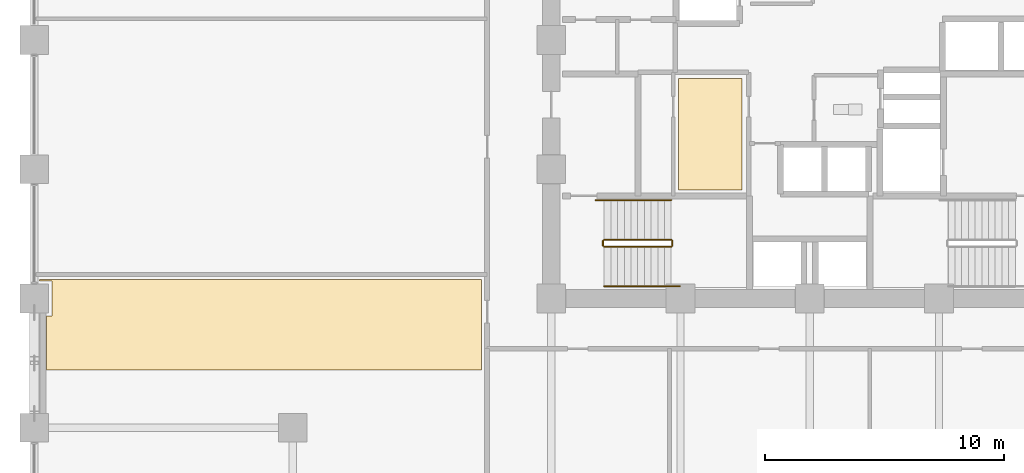
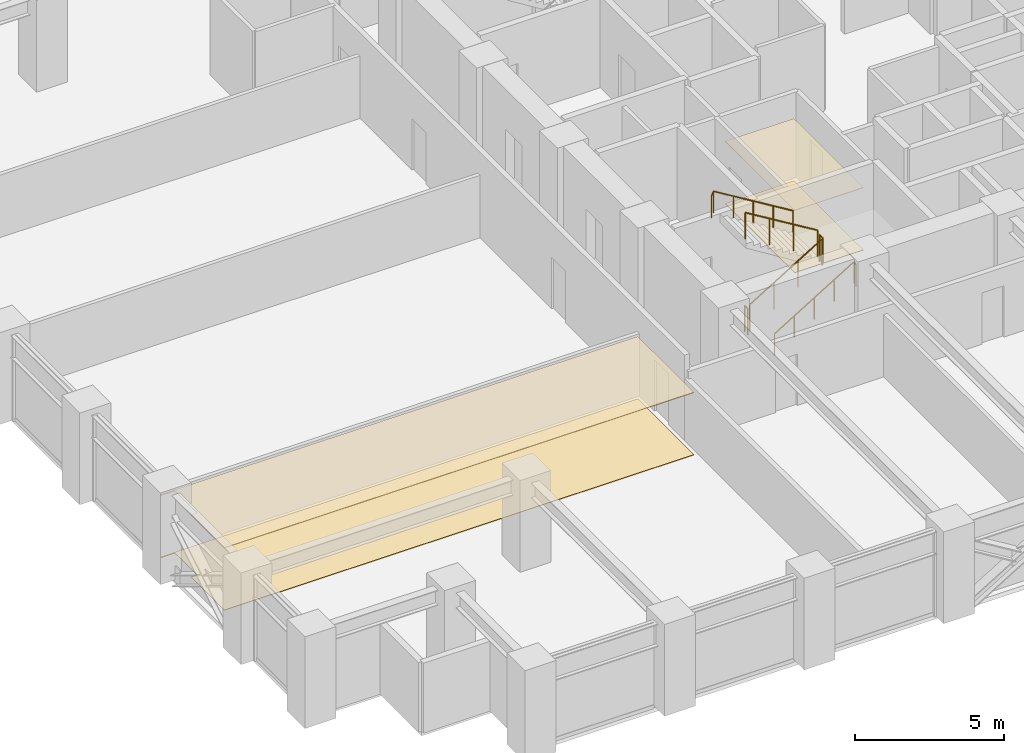
# One storey, part 24 of 26: 6 railings, 4 coverings.
"""IFC4 building model written with IfcOpenShell, lengths in metres."""

from ifc_helpers import new_model, si_unit, direction, frame, origin, origin_2d, place, context, subcontext, project, spatial, polyline, circle, outline, extrude, material, layer, layer_set, type_object, element, save


model = new_model("IFC4")

# Units and contexts
model_context = context("Model", 3, precision=1e-05, world=origin(), true_north=direction((0.0, 1.0)))
body_context = subcontext(model_context, "Body", "Model", "MODEL_VIEW")
ifc_project = project(units=[si_unit("LENGTHUNIT", "METRE"), si_unit("AREAUNIT", "SQUARE_METRE"), si_unit("VOLUMEUNIT", "CUBIC_METRE"), si_unit("PLANEANGLEUNIT", "RADIAN"), si_unit("MASSUNIT", "GRAM", prefix="KILO")], contexts=[model_context])

# Site, building, storey
site_placement = place(None, origin())
site = spatial("IfcSite", under=ifc_project, at=site_placement, CompositionType="ELEMENT")
building_placement = place(site_placement, origin())
building = spatial("IfcBuilding", under=site, at=building_placement, Name="Surkhivell Harbour Commons", CompositionType="ELEMENT")
storey_placement = place(building_placement, frame((0.0, 0.0, 75.0)))
storey = spatial("IfcBuildingStorey", under=building, at=storey_placement, Name="L19", CompositionType="ELEMENT", Elevation=75.0)

# Coverings
ifc_material_1 = material(Name="Perforated acoustic mineral-fibre ceiling tile", Category="other")
ifc_layer_1 = layer(ifc_material_1, 0.02490234375)
ifc_layer_set_1 = layer_set([ifc_layer_1], Name="Perforated acoustic mineral-fibre ceiling tile")
covering_type_1 = type_object("IfcCoveringType", Name="COV-CEIL-AC", PredefinedType="CEILING", material=ifc_layer_set_1)
covering_1_placement = place(storey_placement, frame((0.0, 0.0, 2.548095703125)))
element("IfcCovering", 1, at=covering_1_placement, inside=storey, type_object=covering_type_1, Name="L19 Suspended Acoustic Ceiling 1", PredefinedType="CEILING", context=body_context, shape_type="SweptSolid", body=[
    extrude(outline(polyline([(-5.47998046875, -6.260009765625), (-2.820068359375, -6.260009765625), (-2.820068359375, -1.60009765625), (-5.47998046875, -1.60009765625), (-5.47998046875, -6.260009765625)])), origin(), (0.0, 0.0, 1.0), 0.02490234375),
])
ifc_material_2 = material(Name="Moisture-resistant gypsum acoustic ceiling board", Category="other")
ifc_layer_2 = layer(ifc_material_2, 0.030029296875)
ifc_layer_set_2 = layer_set([ifc_layer_2], Name="Moisture-resistant gypsum acoustic ceiling board")
covering_type_2 = type_object("IfcCoveringType", Name="COV-CEIL-GYP", PredefinedType="CEILING", material=ifc_layer_set_2)
covering_2_placement = place(storey_placement, frame((0.0, 0.0, 2.54296875)))
element("IfcCovering", 2, at=covering_2_placement, inside=storey, type_object=covering_type_2, Name="L19 Suspended Acoustic Ceiling 2", PredefinedType="CEILING", context=body_context, shape_type="SweptSolid", body=[
    extrude(outline(polyline([(-13.719970703125, -13.780029296875), (-13.719970703125, -10.014892578125), (-32.18994140625, -10.014892578125), (-32.18994140625, -10.06005859375), (-31.659912109375, -10.06005859375), (-31.659912109375, -11.5400390625), (-31.889892578125, -11.5400390625), (-31.889892578125, -13.780029296875), (-13.719970703125, -13.780029296875)])), origin(), (0.0, 0.0, 1.0), 0.030029296875),
])
ifc_material_3 = material(Name="Engineered acoustic oak timber flooring", Category="wood")
ifc_layer_3 = layer(ifc_material_3, 0.02001953125)
ifc_layer_set_3 = layer_set([ifc_layer_3], Name="Engineered acoustic oak timber flooring")
covering_type_3 = type_object("IfcCoveringType", Name="COV-FLR-TIM", PredefinedType="FLOORING", material=ifc_layer_set_3)
covering_3_placement = place(storey_placement, origin())
element("IfcCovering", 3, at=covering_3_placement, inside=storey, type_object=covering_type_3, Name="L19 Interior Floor Finish 1", PredefinedType="FLOORING", context=body_context, shape_type="SweptSolid", body=[
    extrude(outline(polyline([(-5.47998046875, -6.260009765625), (-2.820068359375, -6.260009765625), (-2.820068359375, -1.60009765625), (-5.47998046875, -1.60009765625), (-5.47998046875, -6.260009765625)])), origin(), (0.0, 0.0, 1.0), 0.02001953125),
])
covering_4_placement = place(storey_placement, origin())
element("IfcCovering", 4, at=covering_4_placement, inside=storey, type_object=covering_type_3, Name="L19 Interior Floor Finish 2", PredefinedType="FLOORING", context=body_context, shape_type="SweptSolid", body=[
    extrude(outline(polyline([(-13.719970703125, -13.780029296875), (-13.719970703125, -10.014892578125), (-32.18994140625, -10.014892578125), (-32.18994140625, -10.06005859375), (-31.659912109375, -10.06005859375), (-31.659912109375, -11.5400390625), (-31.889892578125, -11.5400390625), (-31.889892578125, -13.780029296875), (-13.719970703125, -13.780029296875)])), origin(), (0.0, 0.0, 1.0), 0.02001953125),
])

# Railings
ifc_material_4 = material(Name="Galvanised and painted steel S355 guard rail", Category="steel")
railing_type_1 = type_object("IfcRailingType", Name="RAL-ST-GRD1100", PredefinedType="GUARDRAIL", material=ifc_material_4)
railing_1_placement = place(storey_placement, frame((-8.590087890625, -8.639892578125, 0.17041015625)))
element("IfcRailing", 5, at=railing_1_placement, inside=storey, type_object=railing_type_1, Name="L19 ST3 stair guard 1", PredefinedType="GUARDRAIL", context=body_context, shape_type="SweptSolid", body=[
    extrude(circle(Radius=0.02392578125, at=origin_2d()), frame((0.0, 0.0, 1.076171875), z_axis=(0.854169791009, 0.0, 0.51999420009), x_axis=(0.0, 1.0, 0.0)), (0.0, 0.0, 1.0), 3.278076171875),
    extrude(circle(Radius=0.02099609375, at=origin_2d()), origin(), (0.0, 0.0, 1.0), 1.052001953125),
    extrude(circle(Radius=0.02099609375, at=origin_2d()), frame((0.933349609375, 0.0, 0.568115234375)), (0.0, 0.0, 1.0), 1.052001953125),
    extrude(circle(Radius=0.02099609375, at=origin_2d()), frame((1.86669921875, 0.0, 1.136474609375)), (0.0, 0.0, 1.0), 1.052001953125),
    extrude(circle(Radius=0.02099609375, at=origin_2d()), frame((2.800048828125, 0.0, 1.70458984375)), (0.0, 0.0, 1.0), 1.052001953125),
])
railing_2_placement = place(storey_placement, frame((-5.739990234375, -8.590087890625, 1.875)))
element("IfcRailing", 6, at=railing_2_placement, inside=storey, type_object=railing_type_1, Name="L19 ST3 stair guard 2", PredefinedType="GUARDRAIL", context=body_context, shape_type="SweptSolid", body=[
    extrude(circle(Radius=0.02392578125, at=origin_2d()), frame((0.0, 0.0, 1.076171875), z_axis=(0.0, 1.0, 0.0), x_axis=(-1.0, 0.0, 0.0)), (0.0, 0.0, 1.0), 0.2001953125),
    extrude(circle(Radius=0.02099609375, at=origin_2d()), origin(), (0.0, 0.0, 1.0), 1.052001953125),
    extrude(circle(Radius=0.02099609375, at=origin_2d()), frame((0.0, 0.2001953125, 0.0)), (0.0, 0.0, 1.0), 1.052001953125),
])
railing_3_placement = place(storey_placement, frame((-5.7900390625, -8.340087890625, 2.04541015625)))
element("IfcRailing", 7, at=railing_3_placement, inside=storey, type_object=railing_type_1, Name="L19 ST3 stair guard 3", PredefinedType="GUARDRAIL", context=body_context, shape_type="SweptSolid", body=[
    extrude(circle(Radius=0.02392578125, at=origin_2d()), frame((0.0, 0.0, 1.076171875), z_axis=(-0.854169791009, 0.0, 0.51999420009), x_axis=(0.0, -1.0, 0.0)), (0.0, 0.0, 1.0), 3.278076171875),
    extrude(circle(Radius=0.02099609375, at=origin_2d()), origin(), (0.0, 0.0, 1.0), 1.052001953125),
    extrude(circle(Radius=0.02099609375, at=origin_2d()), frame((-0.933349609375, 0.0, 0.568115234375)), (0.0, 0.0, 1.0), 1.052001953125),
    extrude(circle(Radius=0.02099609375, at=origin_2d()), frame((-1.86669921875, 0.0, 1.136474609375)), (0.0, 0.0, 1.0), 1.052001953125),
    extrude(circle(Radius=0.02099609375, at=origin_2d()), frame((-2.800048828125, 0.0, 1.70458984375)), (0.0, 0.0, 1.0), 1.052001953125),
])
railing_4_placement = place(storey_placement, frame((-8.639892578125, -8.590087890625, 0.0)))
element("IfcRailing", 8, at=railing_4_placement, inside=storey, type_object=railing_type_1, Name="L19 ST3 stair guard 4", PredefinedType="GUARDRAIL", context=body_context, shape_type="SweptSolid", body=[
    extrude(circle(Radius=0.02392578125, at=origin_2d()), frame((0.0, 0.0, 1.076171875), z_axis=(0.0, 1.0, 0.0), x_axis=(-1.0, 0.0, 0.0)), (0.0, 0.0, 1.0), 0.2001953125),
    extrude(circle(Radius=0.02099609375, at=origin_2d()), origin(), (0.0, 0.0, 1.0), 1.052001953125),
    extrude(circle(Radius=0.02099609375, at=origin_2d()), frame((0.0, 0.2001953125, 0.0)), (0.0, 0.0, 1.0), 1.052001953125),
])
ifc_material_5 = material(Name="Brushed stainless steel S355 handrail", Category="steel")
railing_type_2 = type_object("IfcRailingType", Name="RAL-ST-HND900", PredefinedType="HANDRAIL", material=ifc_material_5)
railing_5_placement = place(storey_placement, frame((-8.590087890625, -10.2900390625, 0.17041015625)))
element("IfcRailing", 9, at=railing_5_placement, inside=storey, type_object=railing_type_2, Name="L19 ST3 stair handrail 1", PredefinedType="HANDRAIL", context=body_context, shape_type="SweptSolid", body=[
    extrude(circle(Radius=0.02392578125, at=origin_2d()), frame((0.0, 0.0, 0.8759765625), z_axis=(0.854177636135, 0.0, 0.519981313056), x_axis=(0.0, 1.0, 0.0)), (0.0, 0.0, 1.0), 3.60595703125),
    extrude(circle(Radius=0.02392578125, at=origin_2d()), frame((3.080078125, 0.0, 2.7509765625), z_axis=(0.425297416671, 0.0, -0.905053648892), x_axis=(0.0, 1.0, 0.0)), (0.0, 0.0, 1.0), 0.188232421875),
    extrude(circle(Radius=0.02099609375, at=origin_2d()), origin(), (0.0, 0.0, 1.0), 0.851806640625),
    extrude(circle(Radius=0.02099609375, at=origin_2d()), frame((0.77001953125, 0.0, 0.46875)), (0.0, 0.0, 1.0), 0.851806640625),
    extrude(circle(Radius=0.02099609375, at=origin_2d()), frame((1.5400390625, 0.0, 0.9375)), (0.0, 0.0, 1.0), 0.851806640625),
    extrude(circle(Radius=0.02099609375, at=origin_2d()), frame((2.31005859375, 0.0, 1.40625)), (0.0, 0.0, 1.0), 0.851806640625),
    extrude(circle(Radius=0.02099609375, at=origin_2d()), frame((3.080078125, 0.0, 1.875)), (0.0, 0.0, 1.0), 0.851806640625),
    extrude(circle(Radius=0.02099609375, at=origin_2d()), frame((3.16015625, 0.0, 1.70458984375)), (0.0, 0.0, 1.0), 0.851806640625),
])
railing_6_placement = place(storey_placement, frame((-5.7900390625, -6.68994140625, 2.04541015625)))
element("IfcRailing", 10, at=railing_6_placement, inside=storey, type_object=railing_type_2, Name="L19 ST3 stair handrail 2", PredefinedType="HANDRAIL", context=body_context, shape_type="SweptSolid", body=[
    extrude(circle(Radius=0.02392578125, at=origin_2d()), frame((0.0, 0.0, 0.8759765625), z_axis=(-0.854177636135, 0.0, 0.519981313056), x_axis=(0.0, -1.0, 0.0)), (0.0, 0.0, 1.0), 3.60595703125),
    extrude(circle(Radius=0.02392578125, at=origin_2d()), frame((-3.080078125, 0.0, 2.7509765625), z_axis=(-0.424234432967, 0.0, -0.905552398199), x_axis=(0.0, -1.0, 0.0)), (0.0, 0.0, 1.0), 0.188232421875),
    extrude(circle(Radius=0.02099609375, at=origin_2d()), origin(), (0.0, 0.0, 1.0), 0.851806640625),
    extrude(circle(Radius=0.02099609375, at=origin_2d()), frame((-0.77001953125, 0.0, 0.46875)), (0.0, 0.0, 1.0), 0.851806640625),
    extrude(circle(Radius=0.02099609375, at=origin_2d()), frame((-1.5400390625, 0.0, 0.9375)), (0.0, 0.0, 1.0), 0.851806640625),
    extrude(circle(Radius=0.02099609375, at=origin_2d()), frame((-2.31005859375, 0.0, 1.40625)), (0.0, 0.0, 1.0), 0.851806640625),
    extrude(circle(Radius=0.02099609375, at=origin_2d()), frame((-3.080078125, 0.0, 1.875)), (0.0, 0.0, 1.0), 0.851806640625),
    extrude(circle(Radius=0.02099609375, at=origin_2d()), frame((-3.159912109375, 0.0, 1.70458984375)), (0.0, 0.0, 1.0), 0.851806640625),
])

save(model, "model.ifc")
